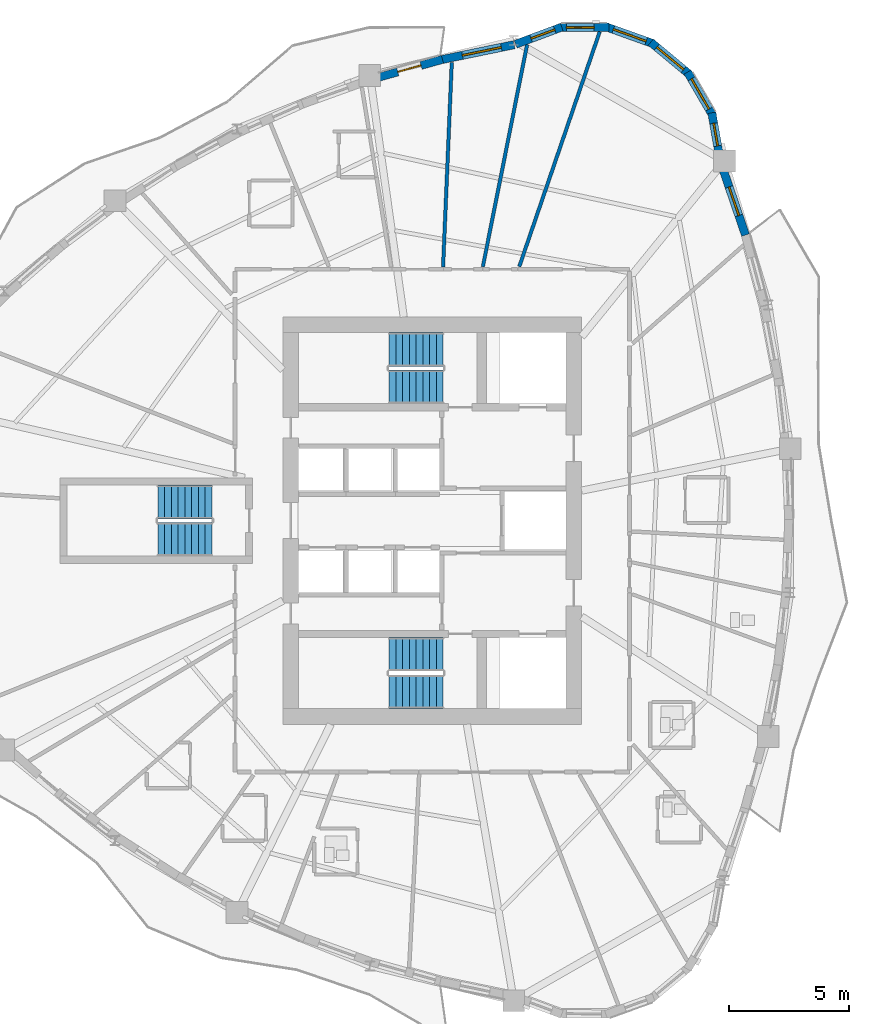
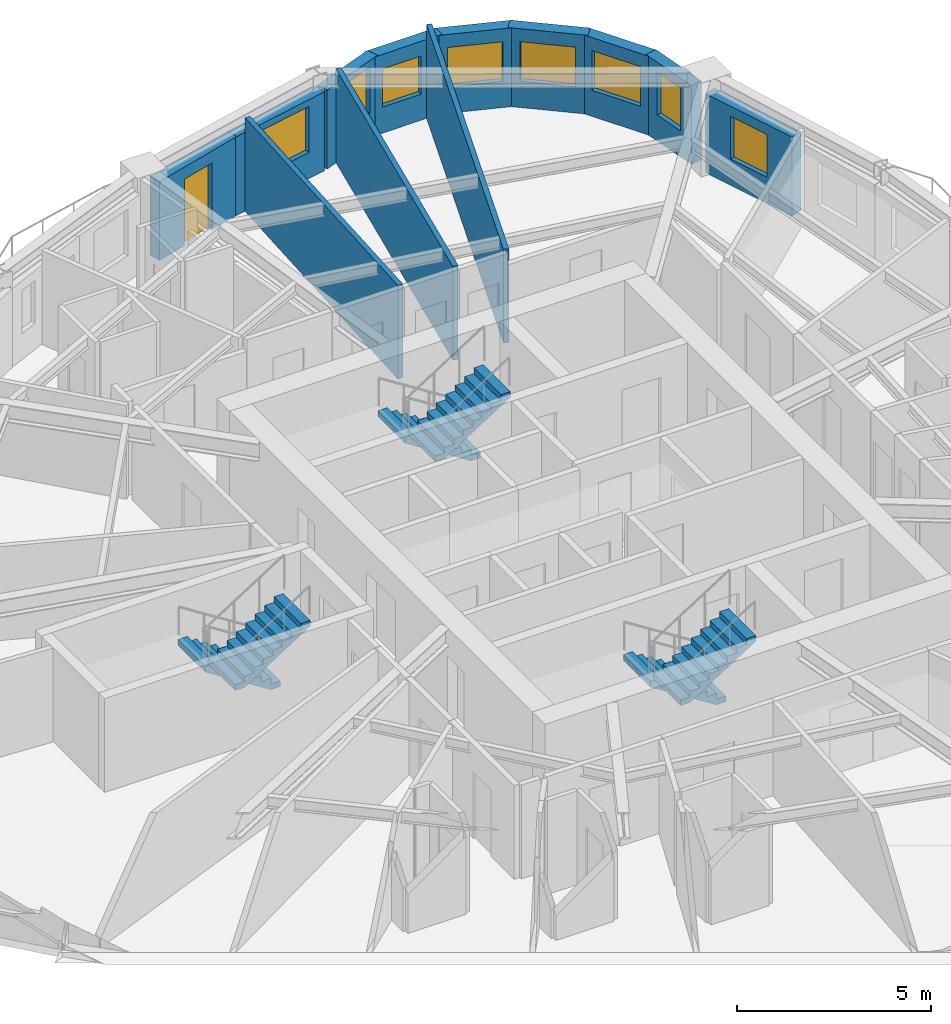
# One storey, part 9 of 13: 12 walls, 8 windows, 6 stair flights, 1 door, 9 openings, 3 elements without a shape of their own.
"""IFC4 building model written with IfcOpenShell, lengths in metres."""

from ifc_helpers import new_model, si_unit, direction, frame, frame_2d, origin, place, context, subcontext, project, spatial, polyline, rectangle, outline, extrude, source, transform, mapped, material, layer, layer_set, type_object, element, fill, aggregate, save


model = new_model("IFC4")

# Units and contexts
model_context = context("Model", 3, precision=1e-05, world=origin(), true_north=direction((0.0, 1.0)))
body_context = subcontext(model_context, "Body", "Model", "MODEL_VIEW")
ifc_project = project(units=[si_unit("LENGTHUNIT", "METRE"), si_unit("AREAUNIT", "SQUARE_METRE"), si_unit("VOLUMEUNIT", "CUBIC_METRE"), si_unit("PLANEANGLEUNIT", "RADIAN"), si_unit("MASSUNIT", "GRAM", prefix="KILO")], contexts=[model_context])

# Site, building, storey
site_placement = place(None, origin())
site = spatial("IfcSite", under=ifc_project, at=site_placement, CompositionType="ELEMENT")
building_placement = place(site_placement, origin())
building = spatial("IfcBuilding", under=site, at=building_placement, Name="Qafzar Sky-Pleat Residences", CompositionType="ELEMENT")
storey_placement = place(building_placement, frame((0.0, 0.0, 99.199951171875)))
storey = spatial("IfcBuildingStorey", under=building, at=storey_placement, Name="L29", CompositionType="ELEMENT", Elevation=99.199951171875)

# Walls
ifc_material_1 = material(Name="Acoustic gypsum plasterboard partition", Category="gypsum")
ifc_layer_1 = layer(ifc_material_1, 0.14501953125)
ifc_layer_set_1 = layer_set([ifc_layer_1], Name="Acoustic gypsum plasterboard partition")
wall_type_1 = type_object("IfcWallType", Name="PART-UNIT-145", PredefinedType="PARTITIONING", material=ifc_layer_set_1)
wall_1_placement = place(storey_placement, frame((33.9599609375, 36.541015625, 0.0), z_axis=(0.0, 0.0, 1.0), x_axis=(0.324058346196, 0.946037096662, 0.0)))
element("IfcWall", 1, at=wall_1_placement, inside=storey, type_object=wall_type_1, Name="L29 Partition Wall PART-L29-PW-033", PredefinedType="PARTITIONING", context=body_context, shape_type="SweptSolid", body=[
    extrude(rectangle(XDim=10.302490234375, YDim=0.14501953125, at=frame_2d((5.1513671875, 0.0))), origin(), (0.0, 0.0, 1.0), 2.949951171875),
])
wall_2_placement = place(storey_placement, frame((32.4482421875, 36.531982421875, 0.0), z_axis=(0.0, 0.0, 1.0), x_axis=(0.195406965811, 0.980722242897, 0.0)))
element("IfcWall", 2, at=wall_2_placement, inside=storey, type_object=wall_type_1, Name="L29 Partition Wall PART-L29-PW-036", PredefinedType="PARTITIONING", context=body_context, shape_type="SweptSolid", body=[
    extrude(rectangle(XDim=9.401611328125, YDim=0.14501953125, at=frame_2d((4.70068359375, 0.0))), origin(), (0.0, 0.0, 1.0), 2.949951171875),
])
wall_3_placement = place(storey_placement, frame((30.7978515625, 36.52099609375, 0.0), z_axis=(0.0, 0.0, 1.0), x_axis=(0.042521424142, 0.999095555234, 0.0)))
element("IfcWall", 3, at=wall_3_placement, inside=storey, type_object=wall_type_1, Name="L29 Partition Wall PART-L29-PW-039", PredefinedType="PARTITIONING", context=body_context, shape_type="SweptSolid", body=[
    extrude(rectangle(XDim=8.50341796875, YDim=0.14501953125, at=frame_2d((4.251708984375, 0.0))), origin(), (0.0, 0.0, 1.0), 2.949951171875),
])

# Wall, opening, window
ifc_material_2 = material(Name="Precast concrete C40/50 with honed Riyadh limestone", Category="concrete")
ifc_layer_2 = layer(ifc_material_2, 0.340087890625)
ifc_layer_set_2 = layer_set([ifc_layer_2], Name="Precast concrete C40/50 with honed Riyadh limestone")
wall_type_2 = type_object("IfcWallType", Name="WALL-EXT-340", PredefinedType="SOLIDWALL", material=ifc_layer_set_2)
wall_4_placement = place(storey_placement, frame((43.349609375, 37.84765625, 0.0), z_axis=(0.0, 0.0, 1.0), x_axis=(-0.323561473353, 0.946207151189, 0.0)))
wall_4 = element("IfcWall", 4, at=wall_4_placement, inside=storey, type_object=wall_type_2, Name="L29 Limestone Facade Wall 32", PredefinedType="SOLIDWALL", context=body_context, shape_type="SweptSolid", body=[
    extrude(rectangle(XDim=2.96240234375, YDim=0.340087890625, at=frame_2d((1.481201171875, 0.0))), origin(), (0.0, 0.0, 1.0), 2.47998046875),
])
opening_1_placement = place(wall_4_placement, frame((0.861083984375, 0.0, 0.820068359375)))
opening_1 = element("IfcOpeningElement", 5, at=opening_1_placement, cuts=wall_4, Name="Opening WN-11", PredefinedType="OPENING", context=body_context, shape_type="SweptSolid", body=[
    extrude(rectangle(XDim=1.25, YDim=1.35009765625, at=frame_2d((0.625, 0.675048828125))), frame((0.0, 0.18017578125, 0.0), z_axis=(0.0, -1.0, 0.0), x_axis=(1.0, 0.0, 0.0)), (0.0, 0.0, 1.0), 0.360107421875),
])
ifc_material_3 = material(Name="Solar-control low-E glass in bronze aluminium frame", Category="glass")
window_type_1 = type_object("IfcWindowType", Name="WIN-11", PartitioningType="SINGLE_PANEL", PredefinedType="WINDOW", material=ifc_material_3)
shared_shape_1 = source(origin(), body_context, "Body", "SweptSolid", [
    extrude(rectangle(XDim=1.25, YDim=1.35009765625, at=frame_2d((0.625, 0.675048828125))), frame((0.0, 0.030029296875, 0.0), z_axis=(0.0, -1.0, 0.0), x_axis=(1.0, 0.0, 0.0)), (0.0, 0.0, 1.0), 0.06005859375),
])
window_1_placement = place(opening_1_placement, origin())
window_1 = element("IfcWindow", 6, at=window_1_placement, inside=storey, type_object=window_type_1, Name="L29 Punched Facade Window 32", OverallHeight=1.35009765625, OverallWidth=1.25, PartitioningType="SINGLE_PANEL", PredefinedType="WINDOW", context=body_context, shape_type="MappedRepresentation", body=[
    mapped(shared_shape_1, transform((0.0, 0.0, 0.0), x_axis=(1.0, 0.0, 0.0), y_axis=(0.0, 1.0, 0.0), z_axis=(0.0, 0.0, 1.0), scale=1.0)),
])
fill(opening_1, window_1)

wall_5_placement = place(storey_placement, frame((42.27001953125, 41.1201171875, 0.0), z_axis=(0.0, 0.0, 1.0), x_axis=(-0.17440141227, 0.984674640375, 0.0)))
wall_5 = element("IfcWall", 7, at=wall_5_placement, inside=storey, type_object=wall_type_2, Name="L29 Limestone Facade Wall 33", PredefinedType="SOLIDWALL", context=body_context, shape_type="SweptSolid", body=[
    extrude(rectangle(XDim=1.8310546875, YDim=0.340087890625, at=frame_2d((0.91552734375, 0.0))), origin(), (0.0, 0.0, 1.0), 2.47998046875),
])
opening_2_placement = place(wall_5_placement, frame((0.435546875, 0.0, 0.820068359375)))
opening_2 = element("IfcOpeningElement", 8, at=opening_2_placement, cuts=wall_5, Name="Opening WN-12", PredefinedType="OPENING", context=body_context, shape_type="SweptSolid", body=[
    extrude(rectangle(XDim=0.949951171875, YDim=1.35009765625, at=frame_2d((0.47509765625, 0.675048828125))), frame((0.0, 0.18017578125, 0.0), z_axis=(0.0, -1.0, 0.0), x_axis=(1.0, 0.0, 0.0)), (0.0, 0.0, 1.0), 0.360107421875),
])
window_type_2 = type_object("IfcWindowType", Name="WIN-12", PartitioningType="SINGLE_PANEL", PredefinedType="WINDOW", material=ifc_material_3)
shared_shape_2 = source(origin(), body_context, "Body", "SweptSolid", [
    extrude(rectangle(XDim=0.949951171875, YDim=1.35009765625, at=frame_2d((0.47509765625, 0.675048828125))), frame((0.0, 0.030029296875, 0.0), z_axis=(0.0, -1.0, 0.0), x_axis=(1.0, 0.0, 0.0)), (0.0, 0.0, 1.0), 0.06005859375),
])
window_2_placement = place(opening_2_placement, origin())
window_2 = element("IfcWindow", 9, at=window_2_placement, inside=storey, type_object=window_type_2, Name="L29 Punched Facade Window 33", OverallHeight=1.35009765625, OverallWidth=0.949951171875, PartitioningType="SINGLE_PANEL", PredefinedType="WINDOW", context=body_context, shape_type="MappedRepresentation", body=[
    mapped(shared_shape_2, transform((0.0, 0.0, 0.0), x_axis=(1.0, 0.0, 0.0), y_axis=(0.0, 1.0, 0.0), z_axis=(0.0, 0.0, 1.0), scale=1.0)),
])
fill(opening_2, window_2)

wall_6_placement = place(storey_placement, frame((41.99658203125, 42.797119140625, 0.0), z_axis=(0.0, 0.0, 1.0), x_axis=(-0.501902596059, 0.864924149315, 0.0)))
wall_6 = element("IfcWall", 10, at=wall_6_placement, inside=storey, type_object=wall_type_2, Name="L29 Limestone Facade Wall 34", PredefinedType="SOLIDWALL", context=body_context, shape_type="SweptSolid", body=[
    extrude(rectangle(XDim=2.098876953125, YDim=0.340087890625, at=frame_2d((1.04931640625, 0.0))), origin(), (0.0, 0.0, 1.0), 2.47998046875),
])
opening_3_placement = place(wall_6_placement, frame((0.324462890625, 0.0, 0.820068359375)))
opening_3 = element("IfcOpeningElement", 11, at=opening_3_placement, cuts=wall_6, Name="Opening WN-15", PredefinedType="OPENING", context=body_context, shape_type="SweptSolid", body=[
    extrude(rectangle(XDim=1.449951171875, YDim=1.25, at=frame_2d((0.72509765625, 0.625))), frame((0.0, 0.18017578125, 0.0), z_axis=(0.0, -1.0, 0.0), x_axis=(1.0, 0.0, 0.0)), (0.0, 0.0, 1.0), 0.360107421875),
])
window_type_3 = type_object("IfcWindowType", Name="WIN-15", PartitioningType="SINGLE_PANEL", PredefinedType="WINDOW", material=ifc_material_3)
shared_shape_3 = source(origin(), body_context, "Body", "SweptSolid", [
    extrude(rectangle(XDim=1.449951171875, YDim=1.25, at=frame_2d((0.72509765625, 0.625))), frame((0.0, 0.030029296875, 0.0), z_axis=(0.0, -1.0, 0.0), x_axis=(1.0, 0.0, 0.0)), (0.0, 0.0, 1.0), 0.06005859375),
])
window_3_placement = place(opening_3_placement, origin())
window_3 = element("IfcWindow", 12, at=window_3_placement, inside=storey, type_object=window_type_3, Name="L29 Punched Facade Window 34", OverallHeight=1.25, OverallWidth=1.449951171875, PartitioningType="SINGLE_PANEL", PredefinedType="WINDOW", context=body_context, shape_type="MappedRepresentation", body=[
    mapped(shared_shape_3, transform((0.0, 0.0, 0.0), x_axis=(1.0, 0.0, 0.0), y_axis=(0.0, 1.0, 0.0), z_axis=(0.0, 0.0, 1.0), scale=1.0)),
])
fill(opening_3, window_3)

wall_7_placement = place(storey_placement, frame((41.029541015625, 44.510009765625, 0.0), z_axis=(0.0, 0.0, 1.0), x_axis=(-0.768497696041, 0.639852554249, 0.0)))
wall_7 = element("IfcWall", 13, at=wall_7_placement, inside=storey, type_object=wall_type_2, Name="L29 Limestone Facade Wall 35", PredefinedType="SOLIDWALL", context=body_context, shape_type="SweptSolid", body=[
    extrude(rectangle(XDim=2.098876953125, YDim=0.340087890625, at=frame_2d((1.04931640625, 0.0))), origin(), (0.0, 0.0, 1.0), 2.47998046875),
])
opening_4_placement = place(wall_7_placement, frame((0.324462890625, 0.0, 0.820068359375)))
opening_4 = element("IfcOpeningElement", 14, at=opening_4_placement, cuts=wall_7, Name="Opening WN-15", PredefinedType="OPENING", context=body_context, shape_type="SweptSolid", body=[
    extrude(rectangle(XDim=1.449951171875, YDim=1.25, at=frame_2d((0.72509765625, 0.625))), frame((0.0, 0.18017578125, 0.0), z_axis=(0.0, -1.0, 0.0), x_axis=(1.0, 0.0, 0.0)), (0.0, 0.0, 1.0), 0.360107421875),
])
window_4_placement = place(opening_4_placement, origin())
window_4 = element("IfcWindow", 15, at=window_4_placement, inside=storey, type_object=window_type_3, Name="L29 Punched Facade Window 35", OverallHeight=1.25, OverallWidth=1.449951171875, PartitioningType="SINGLE_PANEL", PredefinedType="WINDOW", context=body_context, shape_type="MappedRepresentation", body=[
    mapped(shared_shape_3, transform((0.0, 0.0, 0.0), x_axis=(1.0, 0.0, 0.0), y_axis=(0.0, 1.0, 0.0), z_axis=(0.0, 0.0, 1.0), scale=1.0)),
])
fill(opening_4, window_4)

wall_8_placement = place(storey_placement, frame((39.533203125, 45.78662109375, 0.0), z_axis=(0.0, 0.0, 1.0), x_axis=(-0.941523304278, 0.336947870598, 0.0)))
wall_8 = element("IfcWall", 16, at=wall_8_placement, inside=storey, type_object=wall_type_2, Name="L29 Limestone Facade Wall 36", PredefinedType="SOLIDWALL", context=body_context, shape_type="SweptSolid", body=[
    extrude(rectangle(XDim=2.09912109375, YDim=0.340087890625, at=frame_2d((1.049560546875, 0.0))), origin(), (0.0, 0.0, 1.0), 2.47998046875),
])
opening_5_placement = place(wall_8_placement, frame((0.324462890625, 0.0, 0.820068359375)))
opening_5 = element("IfcOpeningElement", 17, at=opening_5_placement, cuts=wall_8, Name="Opening WN-15", PredefinedType="OPENING", context=body_context, shape_type="SweptSolid", body=[
    extrude(rectangle(XDim=1.449951171875, YDim=1.25, at=frame_2d((0.72509765625, 0.625))), frame((0.0, 0.18017578125, 0.0), z_axis=(0.0, -1.0, 0.0), x_axis=(1.0, 0.0, 0.0)), (0.0, 0.0, 1.0), 0.360107421875),
])
window_5_placement = place(opening_5_placement, origin())
window_5 = element("IfcWindow", 18, at=window_5_placement, inside=storey, type_object=window_type_3, Name="L29 Punched Facade Window 36", OverallHeight=1.25, OverallWidth=1.449951171875, PartitioningType="SINGLE_PANEL", PredefinedType="WINDOW", context=body_context, shape_type="MappedRepresentation", body=[
    mapped(shared_shape_3, transform((0.0, 0.0, 0.0), x_axis=(1.0, 0.0, 0.0), y_axis=(0.0, 1.0, 0.0), z_axis=(0.0, 0.0, 1.0), scale=1.0)),
])
fill(opening_5, window_5)

wall_9_placement = place(storey_placement, frame((37.689208984375, 46.471435546875, 0.0), z_axis=(0.0, 0.0, 1.0), x_axis=(-0.999976456891, -0.00686189939, 0.0)))
wall_9 = element("IfcWall", 19, at=wall_9_placement, inside=storey, type_object=wall_type_2, Name="L29 Limestone Facade Wall 37", PredefinedType="SOLIDWALL", context=body_context, shape_type="SweptSolid", body=[
    extrude(rectangle(XDim=2.09912109375, YDim=0.340087890625, at=frame_2d((1.049560546875, 0.0))), origin(), (0.0, 0.0, 1.0), 2.47998046875),
])
opening_6_placement = place(wall_9_placement, frame((0.626708984375, 0.0, 0.820068359375)))
opening_6 = element("IfcOpeningElement", 20, at=opening_6_placement, cuts=wall_9, Name="Opening WN-16", PredefinedType="OPENING", context=body_context, shape_type="SweptSolid", body=[
    extrude(rectangle(XDim=1.14990234375, YDim=1.199951171875, at=frame_2d((0.574951171875, 0.60009765625))), frame((0.0, 0.18017578125, 0.0), z_axis=(0.0, -1.0, 0.0), x_axis=(1.0, 0.0, 0.0)), (0.0, 0.0, 1.0), 0.360107421875),
])
window_type_4 = type_object("IfcWindowType", Name="WIN-16", PartitioningType="SINGLE_PANEL", PredefinedType="WINDOW", material=ifc_material_3)
shared_shape_4 = source(origin(), body_context, "Body", "SweptSolid", [
    extrude(rectangle(XDim=1.14990234375, YDim=1.199951171875, at=frame_2d((0.574951171875, 0.60009765625))), frame((0.0, 0.030029296875, 0.0), z_axis=(0.0, -1.0, 0.0), x_axis=(1.0, 0.0, 0.0)), (0.0, 0.0, 1.0), 0.06005859375),
])
window_6_placement = place(opening_6_placement, origin())
window_6 = element("IfcWindow", 21, at=window_6_placement, inside=storey, type_object=window_type_4, Name="L29 Punched Facade Window 37", OverallHeight=1.199951171875, OverallWidth=1.14990234375, PartitioningType="SINGLE_PANEL", PredefinedType="WINDOW", context=body_context, shape_type="MappedRepresentation", body=[
    mapped(shared_shape_4, transform((0.0, 0.0, 0.0), x_axis=(1.0, 0.0, 0.0), y_axis=(0.0, 1.0, 0.0), z_axis=(0.0, 0.0, 1.0), scale=1.0)),
])
fill(opening_6, window_6)

wall_10_placement = place(storey_placement, frame((35.72216796875, 46.4814453125, 0.0), z_axis=(0.0, 0.0, 1.0), x_axis=(-0.9368002254, -0.349864741994, 0.0)))
wall_10 = element("IfcWall", 22, at=wall_10_placement, inside=storey, type_object=wall_type_2, Name="L29 Limestone Facade Wall 38", PredefinedType="SOLIDWALL", context=body_context, shape_type="SweptSolid", body=[
    extrude(rectangle(XDim=2.041015625, YDim=0.340087890625, at=frame_2d((1.0205078125, 0.0))), origin(), (0.0, 0.0, 1.0), 2.47998046875),
])
opening_7_placement = place(wall_10_placement, frame((0.30908203125, 0.0, 0.820068359375)))
opening_7 = element("IfcOpeningElement", 23, at=opening_7_placement, cuts=wall_10, Name="Opening WN-06", PredefinedType="OPENING", context=body_context, shape_type="SweptSolid", body=[
    extrude(rectangle(XDim=1.050048828125, YDim=1.449951171875, at=frame_2d((0.52490234375, 0.72509765625))), frame((0.0, 0.18017578125, 0.0), z_axis=(0.0, -1.0, 0.0), x_axis=(1.0, 0.0, 0.0)), (0.0, 0.0, 1.0), 0.360107421875),
])
window_type_5 = type_object("IfcWindowType", Name="WIN-06", PartitioningType="SINGLE_PANEL", PredefinedType="WINDOW", material=ifc_material_3)
shared_shape_5 = source(origin(), body_context, "Body", "SweptSolid", [
    extrude(rectangle(XDim=1.050048828125, YDim=1.449951171875, at=frame_2d((0.52490234375, 0.72509765625))), frame((0.0, 0.030029296875, 0.0), z_axis=(0.0, -1.0, 0.0), x_axis=(1.0, 0.0, 0.0)), (0.0, 0.0, 1.0), 0.06005859375),
])
window_7_placement = place(opening_7_placement, origin())
window_7 = element("IfcWindow", 24, at=window_7_placement, inside=storey, type_object=window_type_5, Name="L29 Punched Facade Window 38", OverallHeight=1.449951171875, OverallWidth=1.050048828125, PartitioningType="SINGLE_PANEL", PredefinedType="WINDOW", context=body_context, shape_type="MappedRepresentation", body=[
    mapped(shared_shape_5, transform((0.0, 0.0, 0.0), x_axis=(1.0, 0.0, 0.0), y_axis=(0.0, 1.0, 0.0), z_axis=(0.0, 0.0, 1.0), scale=1.0)),
])
fill(opening_7, window_7)

wall_11_placement = place(storey_placement, frame((33.74658203125, 45.7490234375, 0.0), z_axis=(0.0, 0.0, 1.0), x_axis=(-0.979440240026, -0.201734519153, 0.0)))
wall_11 = element("IfcWall", 25, at=wall_11_placement, inside=storey, type_object=wall_type_2, Name="L29 Limestone Facade Wall 39", PredefinedType="SOLIDWALL", context=body_context, shape_type="SweptSolid", body=[
    extrude(rectangle(XDim=3.12353515625, YDim=0.340087890625, at=frame_2d((1.561767578125, 0.0))), origin(), (0.0, 0.0, 1.0), 2.47998046875),
])
opening_8_placement = place(wall_11_placement, frame((0.541259765625, 0.0, 0.820068359375)))
opening_8 = element("IfcOpeningElement", 26, at=opening_8_placement, cuts=wall_11, Name="Opening WN-02", PredefinedType="OPENING", context=body_context, shape_type="SweptSolid", body=[
    extrude(rectangle(XDim=1.64990234375, YDim=1.449951171875, at=frame_2d((0.824951171875, 0.72509765625))), frame((0.0, 0.18017578125, 0.0), z_axis=(0.0, -1.0, 0.0), x_axis=(1.0, 0.0, 0.0)), (0.0, 0.0, 1.0), 0.360107421875),
])
window_type_6 = type_object("IfcWindowType", Name="WIN-02", PartitioningType="DOUBLE_PANEL_VERTICAL", PredefinedType="WINDOW", material=ifc_material_3)
shared_shape_6 = source(origin(), body_context, "Body", "SweptSolid", [
    extrude(rectangle(XDim=1.64990234375, YDim=1.449951171875, at=frame_2d((0.824951171875, 0.72509765625))), frame((0.0, 0.030029296875, 0.0), z_axis=(0.0, -1.0, 0.0), x_axis=(1.0, 0.0, 0.0)), (0.0, 0.0, 1.0), 0.06005859375),
])
window_8_placement = place(opening_8_placement, origin())
window_8 = element("IfcWindow", 27, at=window_8_placement, inside=storey, type_object=window_type_6, Name="L29 Punched Facade Window 39", OverallHeight=1.449951171875, OverallWidth=1.64990234375, PartitioningType="SINGLE_PANEL", PredefinedType="WINDOW", context=body_context, shape_type="MappedRepresentation", body=[
    mapped(shared_shape_6, transform((0.0, 0.0, 0.0), x_axis=(1.0, 0.0, 0.0), y_axis=(0.0, 1.0, 0.0), z_axis=(0.0, 0.0, 1.0), scale=1.0)),
])
fill(opening_8, window_8)

# Wall, opening, door
wall_12_placement = place(storey_placement, frame((30.772705078125, 45.139404296875, 0.0), z_axis=(0.0, 0.0, 1.0), x_axis=(-0.963038749839, -0.269362889627, 0.0)))
wall_12 = element("IfcWall", 28, at=wall_12_placement, inside=storey, type_object=wall_type_2, Name="L29 Limestone Facade Wall 40", PredefinedType="SOLIDWALL", context=body_context, shape_type="SweptSolid", body=[
    extrude(rectangle(XDim=2.8486328125, YDim=0.340087890625, at=frame_2d((1.42431640625, 0.0))), origin(), (0.0, 0.0, 1.0), 2.47998046875),
])
opening_9_placement = place(wall_12_placement, frame((0.92431640625, 0.0, 0.0)))
opening_9 = element("IfcOpeningElement", 29, at=opening_9_placement, cuts=wall_12, Name="Opening ED-05", PredefinedType="OPENING", context=body_context, shape_type="SweptSolid", body=[
    extrude(rectangle(XDim=1.0, YDim=2.10009765625, at=frame_2d((0.5, 1.050048828125))), frame((0.0, 0.18017578125, 0.0), z_axis=(0.0, -1.0, 0.0), x_axis=(1.0, 0.0, 0.0)), (0.0, 0.0, 1.0), 0.360107421875),
])
ifc_material_4 = material(Name="Glazed bronze aluminium door", Category="aluminium")
door_type = type_object("IfcDoorType", Name="DR-BAL-1000", OperationType="NOTDEFINED", PredefinedType="DOOR", material=ifc_material_4)
shared_shape_7 = source(origin(), body_context, "Body", "SweptSolid", [
    extrude(rectangle(XDim=1.0, YDim=2.10009765625, at=frame_2d((0.5, 1.050048828125))), frame((0.0, 0.02490234375, 0.0), z_axis=(0.0, -1.0, 0.0), x_axis=(1.0, 0.0, 0.0)), (0.0, 0.0, 1.0), 0.050048828125),
])
door_placement = place(opening_9_placement, origin())
door = element("IfcDoor", 30, at=door_placement, inside=storey, type_object=door_type, Name="L29 Glazed Balcony Door 2", OperationType="SINGLE_SWING_LEFT", OverallHeight=2.10009765625, OverallWidth=1.0, PredefinedType="DOOR", context=body_context, shape_type="MappedRepresentation", body=[
    mapped(shared_shape_7, transform((0.0, 0.0, 0.0), x_axis=(1.0, 0.0, 0.0), y_axis=(0.0, 1.0, 0.0), z_axis=(0.0, 0.0, 1.0), scale=1.0)),
])
fill(opening_9, door)

# Stair, stair flights
ifc_material_5 = material(Name="Concrete C40/50", Category="concrete")
stair_type = type_object("IfcStairType", Name="STAIR-H320", PredefinedType="HALF_TURN_STAIR", material=ifc_material_5)
stair_1_placement = place(storey_placement, origin())
stair_1 = element("IfcStair", 31, at=stair_1_placement, inside=storey, type_object=stair_type, Name="L29 Protected Exit Stair ST1", PredefinedType="HALF_TURN_STAIR")
stair_flight_type = type_object("IfcStairFlightType", Name="FLIGHT-H320", PredefinedType="STRAIGHT", material=ifc_material_5)
shared_shape_8 = source(origin(), body_context, "Body", "SweptSolid", [
    extrude(outline(polyline([(0.0, 0.0), (0.0, 0.177734375), (0.280029296875, 0.177734375), (0.280029296875, 0.35546875), (0.56005859375, 0.35546875), (0.56005859375, 0.533447265625), (0.840087890625, 0.533447265625), (0.840087890625, 0.711181640625), (1.1201171875, 0.711181640625), (1.1201171875, 0.888916015625), (1.39990234375, 0.888916015625), (1.39990234375, 1.066650390625), (1.679931640625, 1.066650390625), (1.679931640625, 1.244384765625), (1.9599609375, 1.244384765625), (1.9599609375, 1.422119140625), (2.239990234375, 1.422119140625), (2.239990234375, 1.60009765625), (2.239990234375, 1.24462890625), (0.27978515625, 0.0), (0.0, 0.0)])), frame((0.0, 0.699951171875, 0.0), z_axis=(0.0, -1.0, 0.0), x_axis=(1.0, 0.0, 0.0)), (0.0, 0.0, 1.0), 1.39990234375),
])
stair_flight_1_placement = place(storey_placement, frame((30.800048828125, 20.449951171875, 0.0), z_axis=(0.0, 0.0, 1.0), x_axis=(-1.0, 0.0, 0.0)))
stair_flight_1 = element("IfcStairFlight", 32, at=stair_flight_1_placement, type_object=stair_flight_type, Name="ST1 flight 1", NumberOfRisers=9, NumberOfTreads=8, PredefinedType="STRAIGHT", RiserHeight=0.177777778, TreadLength=0.28, context=body_context, shape_type="MappedRepresentation", body=[
    mapped(shared_shape_8, transform((0.0, 0.0, 0.0), x_axis=(1.0, 0.0, 0.0), y_axis=(0.0, 1.0, 0.0), z_axis=(0.0, 0.0, 1.0), scale=1.0)),
])
stair_flight_2_placement = place(storey_placement, frame((28.56005859375, 18.89990234375, 1.60009765625), z_axis=(0.0, 0.0, 1.0), x_axis=(1.0, 0.0, 0.0)))
stair_flight_2 = element("IfcStairFlight", 33, at=stair_flight_2_placement, type_object=stair_flight_type, Name="ST1 flight 2", NumberOfRisers=9, NumberOfTreads=8, PredefinedType="STRAIGHT", RiserHeight=0.177777778, TreadLength=0.28, context=body_context, shape_type="MappedRepresentation", body=[
    mapped(shared_shape_8, transform((0.0, 0.0, 0.0), x_axis=(1.0, 0.0, 0.0), y_axis=(0.0, 1.0, 0.0), z_axis=(0.0, 0.0, 1.0), scale=1.0)),
])
aggregate(stair_1, [stair_flight_1, stair_flight_2])

stair_2_placement = place(storey_placement, origin())
stair_2 = element("IfcStair", 34, at=stair_2_placement, inside=storey, type_object=stair_type, Name="L29 Protected Exit Stair ST2", PredefinedType="HALF_TURN_STAIR")
stair_flight_3_placement = place(storey_placement, frame((30.800048828125, 33.10009765625, 0.0), z_axis=(0.0, 0.0, 1.0), x_axis=(-1.0, 0.0, 0.0)))
stair_flight_3 = element("IfcStairFlight", 35, at=stair_flight_3_placement, type_object=stair_flight_type, Name="ST2 flight 1", NumberOfRisers=9, NumberOfTreads=8, PredefinedType="STRAIGHT", RiserHeight=0.177777778, TreadLength=0.28, context=body_context, shape_type="MappedRepresentation", body=[
    mapped(shared_shape_8, transform((0.0, 0.0, 0.0), x_axis=(1.0, 0.0, 0.0), y_axis=(0.0, 1.0, 0.0), z_axis=(0.0, 0.0, 1.0), scale=1.0)),
])
stair_flight_4_placement = place(storey_placement, frame((28.56005859375, 31.550048828125, 1.60009765625), z_axis=(0.0, 0.0, 1.0), x_axis=(1.0, 0.0, 0.0)))
stair_flight_4 = element("IfcStairFlight", 36, at=stair_flight_4_placement, type_object=stair_flight_type, Name="ST2 flight 2", NumberOfRisers=9, NumberOfTreads=8, PredefinedType="STRAIGHT", RiserHeight=0.177777778, TreadLength=0.28, context=body_context, shape_type="MappedRepresentation", body=[
    mapped(shared_shape_8, transform((0.0, 0.0, 0.0), x_axis=(1.0, 0.0, 0.0), y_axis=(0.0, 1.0, 0.0), z_axis=(0.0, 0.0, 1.0), scale=1.0)),
])
aggregate(stair_2, [stair_flight_3, stair_flight_4])

stair_3_placement = place(storey_placement, origin())
stair_3 = element("IfcStair", 37, at=stair_3_placement, inside=storey, type_object=stair_type, Name="L29 Protected Exit Stair ST3", PredefinedType="HALF_TURN_STAIR")
stair_flight_5_placement = place(storey_placement, frame((21.199951171875, 26.77490234375, 0.0), z_axis=(0.0, 0.0, 1.0), x_axis=(-1.0, 0.0, 0.0)))
stair_flight_5 = element("IfcStairFlight", 38, at=stair_flight_5_placement, type_object=stair_flight_type, Name="ST3 flight 1", NumberOfRisers=9, NumberOfTreads=8, PredefinedType="STRAIGHT", RiserHeight=0.177777778, TreadLength=0.28, context=body_context, shape_type="MappedRepresentation", body=[
    mapped(shared_shape_8, transform((0.0, 0.0, 0.0), x_axis=(1.0, 0.0, 0.0), y_axis=(0.0, 1.0, 0.0), z_axis=(0.0, 0.0, 1.0), scale=1.0)),
])
stair_flight_6_placement = place(storey_placement, frame((18.9599609375, 25.22509765625, 1.60009765625), z_axis=(0.0, 0.0, 1.0), x_axis=(1.0, 0.0, 0.0)))
stair_flight_6 = element("IfcStairFlight", 39, at=stair_flight_6_placement, type_object=stair_flight_type, Name="ST3 flight 2", NumberOfRisers=9, NumberOfTreads=8, PredefinedType="STRAIGHT", RiserHeight=0.177777778, TreadLength=0.28, context=body_context, shape_type="MappedRepresentation", body=[
    mapped(shared_shape_8, transform((0.0, 0.0, 0.0), x_axis=(1.0, 0.0, 0.0), y_axis=(0.0, 1.0, 0.0), z_axis=(0.0, 0.0, 1.0), scale=1.0)),
])
aggregate(stair_3, [stair_flight_5, stair_flight_6])

save(model, "model.ifc")
